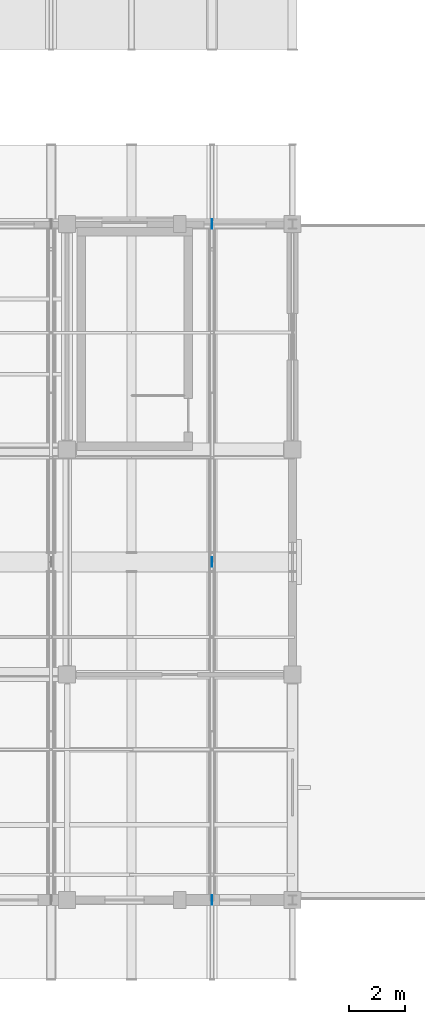
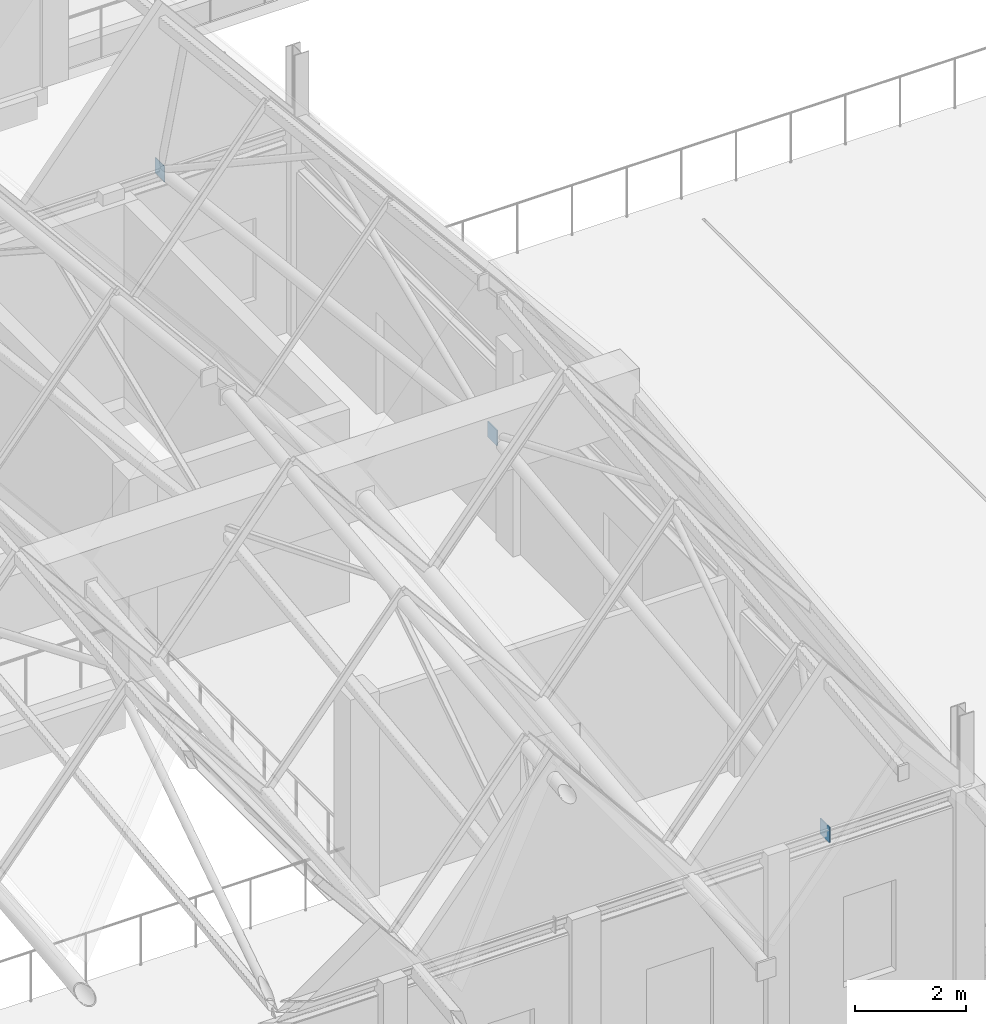
# One storey, part 32 of 77: 3 plates.
"""IFC4 building model written with IfcOpenShell, lengths in metres."""

from ifc_helpers import new_model, si_unit, direction, frame, origin, origin_2d, place, context, subcontext, project, spatial, rectangle, extrude, material, layer, layer_set, type_object, element, save


model = new_model("IFC4")

# Units and contexts
model_context = context("Model", 3, precision=1e-05, world=origin(), true_north=direction((0.0, 1.0)))
body_context = subcontext(model_context, "Body", "Model", "MODEL_VIEW")
ifc_project = project(units=[si_unit("LENGTHUNIT", "METRE"), si_unit("AREAUNIT", "SQUARE_METRE"), si_unit("VOLUMEUNIT", "CUBIC_METRE"), si_unit("PLANEANGLEUNIT", "RADIAN"), si_unit("MASSUNIT", "GRAM", prefix="KILO")], contexts=[model_context])

# Site, building, storey
site_placement = place(None, origin())
site = spatial("IfcSite", under=ifc_project, at=site_placement, CompositionType="ELEMENT")
building_placement = place(site_placement, origin())
building = spatial("IfcBuilding", under=site, at=building_placement, Name="Luwemba Playhouse", CompositionType="ELEMENT")
storey_placement = place(building_placement, frame((0.0, 0.0, 9.300048828125)))
storey = spatial("IfcBuildingStorey", under=building, at=storey_placement, Name="L02", CompositionType="ELEMENT", Elevation=9.300048828125)

# Plates
ifc_material = material(Name="Steel S355", Category="steel")
ifc_layer_1 = layer(ifc_material, 0.01611328125)
ifc_layer_set_1 = layer_set([ifc_layer_1], Name="Steel S355")
plate_type_1 = type_object("IfcPlateType", Name="PLT-GP1", PredefinedType="USERDEFINED", material=ifc_layer_set_1)
plate_1_placement = place(storey_placement, frame((41.142822265625, 27.0, 4.22998046875), z_axis=(0.0, 0.0, 1.0), x_axis=(1.0, 0.0, 0.0)))
element("IfcPlate", 1, at=plate_1_placement, inside=storey, type_object=plate_type_1, Name="Truss node gusset cap plate 0132", ObjectType="GUSSET PLATE", PredefinedType="USERDEFINED", context=body_context, shape_type="SweptSolid", body=[
    extrude(rectangle(XDim=0.01611328125, YDim=0.340087890625, at=origin_2d()), origin(), (0.0, 0.0, 1.0), 0.340087890625),
])
ifc_layer_2 = layer(ifc_material, 0.02001953125)
ifc_layer_set_2 = layer_set([ifc_layer_2], Name="Steel S355")
plate_type_2 = type_object("IfcPlateType", Name="PLT-GP2", PredefinedType="USERDEFINED", material=ifc_layer_set_2)
plate_2_placement = place(storey_placement, frame((41.142822265625, 3.0, 4.22998046875), z_axis=(0.0, 0.0, 1.0), x_axis=(1.0, 0.0, 0.0)))
element("IfcPlate", 2, at=plate_2_placement, inside=storey, type_object=plate_type_2, Name="Truss node gusset cap plate 0130", ObjectType="GUSSET PLATE", PredefinedType="USERDEFINED", context=body_context, shape_type="SweptSolid", body=[
    extrude(rectangle(XDim=0.02001953125, YDim=0.340087890625, at=origin_2d()), origin(), (0.0, 0.0, 1.0), 0.340087890625),
])
ifc_layer_3 = layer(ifc_material, 0.02490234375)
ifc_layer_set_3 = layer_set([ifc_layer_3], Name="Steel S355")
plate_type_3 = type_object("IfcPlateType", Name="PLT-GP3", PredefinedType="USERDEFINED", material=ifc_layer_set_3)
plate_3_placement = place(storey_placement, frame((41.142822265625, 15.0, 5.69580078125), z_axis=(0.0, 0.0, 1.0), x_axis=(1.0, 0.0, 0.0)))
element("IfcPlate", 3, at=plate_3_placement, inside=storey, type_object=plate_type_3, Name="Truss node gusset cap plate 0131", ObjectType="GUSSET PLATE", PredefinedType="USERDEFINED", context=body_context, shape_type="SweptSolid", body=[
    extrude(rectangle(XDim=0.02490234375, YDim=0.340087890625, at=origin_2d()), origin(), (0.0, 0.0, 1.0), 0.340087890625),
])

save(model, "model.ifc")
